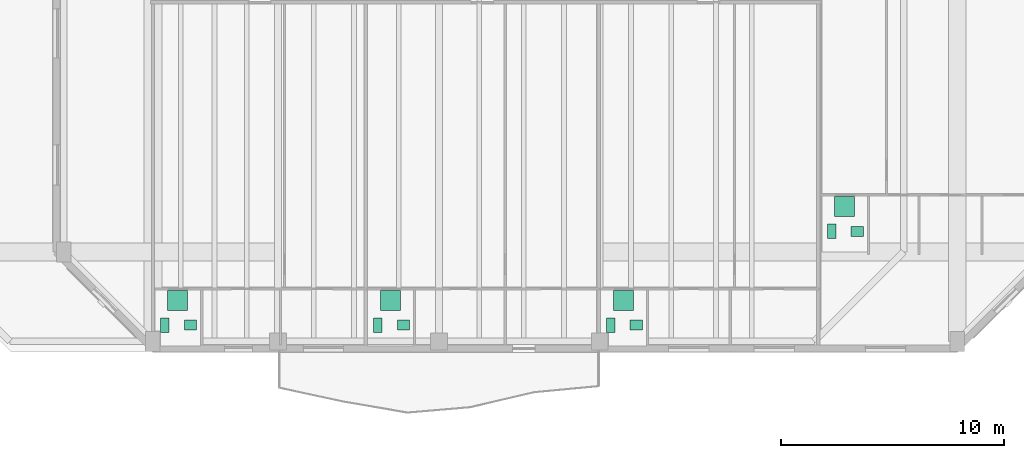
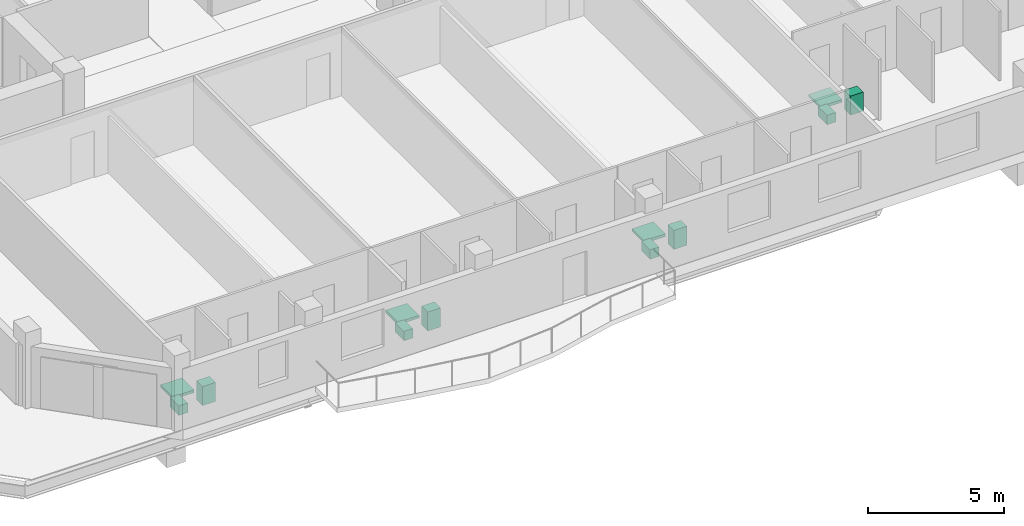
# One storey, part 11 of 11: 12 sanitary terminals.
"""IFC4 building model written with IfcOpenShell, lengths in metres."""

from ifc_helpers import new_model, si_unit, direction, frame, origin, origin_2d, place, context, subcontext, project, spatial, rectangle, extrude, material, type_object, element, save


model = new_model("IFC4")

# Units and contexts
model_context = context("Model", 3, precision=1e-05, world=origin(), true_north=direction((0.0, 1.0)))
body_context = subcontext(model_context, "Body", "Model", "MODEL_VIEW")
ifc_project = project(units=[si_unit("LENGTHUNIT", "METRE"), si_unit("AREAUNIT", "SQUARE_METRE"), si_unit("VOLUMEUNIT", "CUBIC_METRE"), si_unit("PLANEANGLEUNIT", "RADIAN"), si_unit("MASSUNIT", "GRAM", prefix="KILO")], contexts=[model_context])

# Site, building, storey
site_placement = place(None, origin())
site = spatial("IfcSite", under=ifc_project, at=site_placement, CompositionType="ELEMENT")
building_placement = place(site_placement, origin())
building = spatial("IfcBuilding", under=site, at=building_placement, Name="Kranthara Brick Stack", CompositionType="ELEMENT")
storey_placement = place(building_placement, frame((0.0, 0.0, 227.89990234375)))
storey = spatial("IfcBuildingStorey", under=building, at=storey_placement, Name="L59", CompositionType="ELEMENT", Elevation=227.89990234375)

# Sanitary terminals
ifc_material_1 = material(Name="Vitreous china sanitary porcelain", Category="other")
sanitary_terminal_type_1 = type_object("IfcSanitaryTerminalType", Name="SAN-BASIN", PredefinedType="WASHHANDBASIN", material=ifc_material_1)
for number, where, z_axis, x_axis, name in (
    (1, (16.8798828125, 3.925048828125, 0.0), (0.0, 0.0, 1.0), (1.0, 0.0, 0.0), "L59 Washbasin 320"),
    (2, (26.409912109375, 3.925048828125, 0.0), (0.0, 0.0, 1.0), (1.0, 0.0, 0.0), "L59 Washbasin 321"),
    (3, (36.8330078125, 3.925048828125, 0.0), (0.0, 0.0, 1.0), (1.0, 0.0, 0.0), "L59 Washbasin 322"),
    (4, (46.72412109375, 8.125, 0.0), (0.0, 0.0, 1.0), (1.0, 0.0, 0.0), "L59 Washbasin 323"),
):
    element("IfcSanitaryTerminal", number, at=place(storey_placement, frame(where, z_axis=z_axis, x_axis=x_axis)), inside=storey, type_object=sanitary_terminal_type_1, Name=name, PredefinedType="WASHHANDBASIN", context=body_context, shape_type="SweptSolid", body=[
        extrude(rectangle(XDim=0.550048828125, YDim=0.449951171875, at=origin_2d()), origin(), (0.0, 0.0, 1.0), 0.85009765625),
    ])
ifc_material_2 = material(Name="Acrylic and porcelain shower tray", Category="other")
sanitary_terminal_type_2 = type_object("IfcSanitaryTerminalType", Name="SAN-SHOWER", PredefinedType="SHOWER", material=ifc_material_2)
for number, where, z_axis, x_axis, name in (
    (5, (16.304931640625, 5.030029296875, 0.0), (0.0, 0.0, 1.0), (1.0, 0.0, 0.0), "L59 Shower Tray 320"),
    (6, (25.8349609375, 5.030029296875, 0.0), (0.0, 0.0, 1.0), (1.0, 0.0, 0.0), "L59 Shower Tray 321"),
    (7, (36.258056640625, 5.030029296875, 0.0), (0.0, 0.0, 1.0), (1.0, 0.0, 0.0), "L59 Shower Tray 322"),
    (8, (46.156982421875, 9.22998046875, 0.0), (0.0, 0.0, 1.0), (1.0, 0.0, 0.0), "L59 Shower Tray 323"),
):
    element("IfcSanitaryTerminal", number, at=place(storey_placement, frame(where, z_axis=z_axis, x_axis=x_axis)), inside=storey, type_object=sanitary_terminal_type_2, Name=name, PredefinedType="SHOWER", context=body_context, shape_type="SweptSolid", body=[
        extrude(rectangle(XDim=0.89990234375, YDim=0.89990234375, at=origin_2d()), origin(), (0.0, 0.0, 1.0), 0.1201171875),
    ])
ifc_material_3 = material(Name="Vitreous china sanitary porcelain", Category="other")
sanitary_terminal_type_3 = type_object("IfcSanitaryTerminalType", Name="SAN-WC-PAN", PredefinedType="TOILETPAN", material=ifc_material_3)
for number, where, z_axis, x_axis, name in (
    (9, (15.72998046875, 3.925048828125, 0.000244140625), (0.0, 0.0, 1.0), (1.0, 0.0, 0.0), "L59 WC Pan 320"),
    (10, (25.260009765625, 3.925048828125, 0.000244140625), (0.0, 0.0, 1.0), (1.0, 0.0, 0.0), "L59 WC Pan 321"),
    (11, (35.68310546875, 3.925048828125, 0.000244140625), (0.0, 0.0, 1.0), (1.0, 0.0, 0.0), "L59 WC Pan 322"),
    (12, (45.590087890625, 8.125, 0.000244140625), (0.0, 0.0, 1.0), (1.0, 0.0, 0.0), "L59 WC Pan 323"),
):
    element("IfcSanitaryTerminal", number, at=place(storey_placement, frame(where, z_axis=z_axis, x_axis=x_axis)), inside=storey, type_object=sanitary_terminal_type_3, Name=name, PredefinedType="TOILETPAN", context=body_context, shape_type="SweptSolid", body=[
        extrude(rectangle(XDim=0.3798828125, YDim=0.64990234375, at=origin_2d()), origin(), (0.0, 0.0, 1.0), 0.419921875),
    ])

save(model, "model.ifc")
